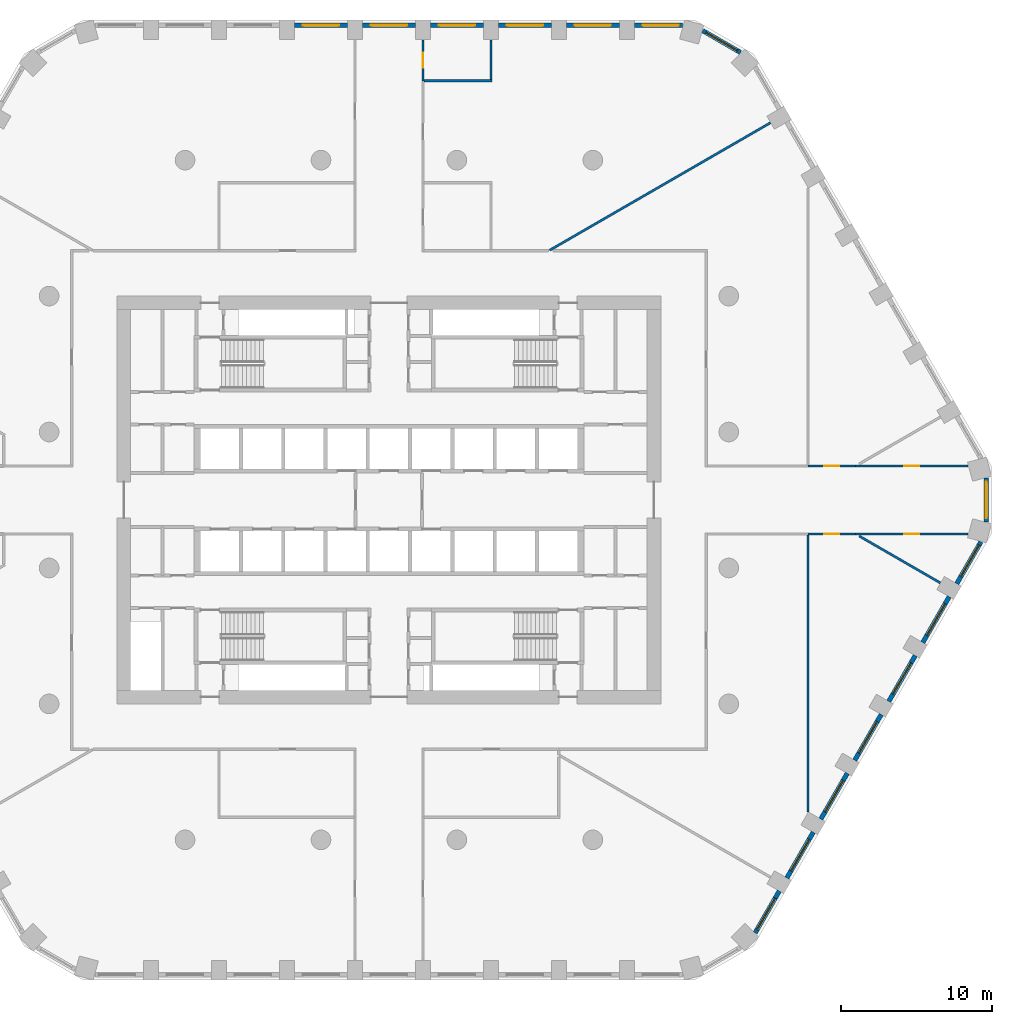
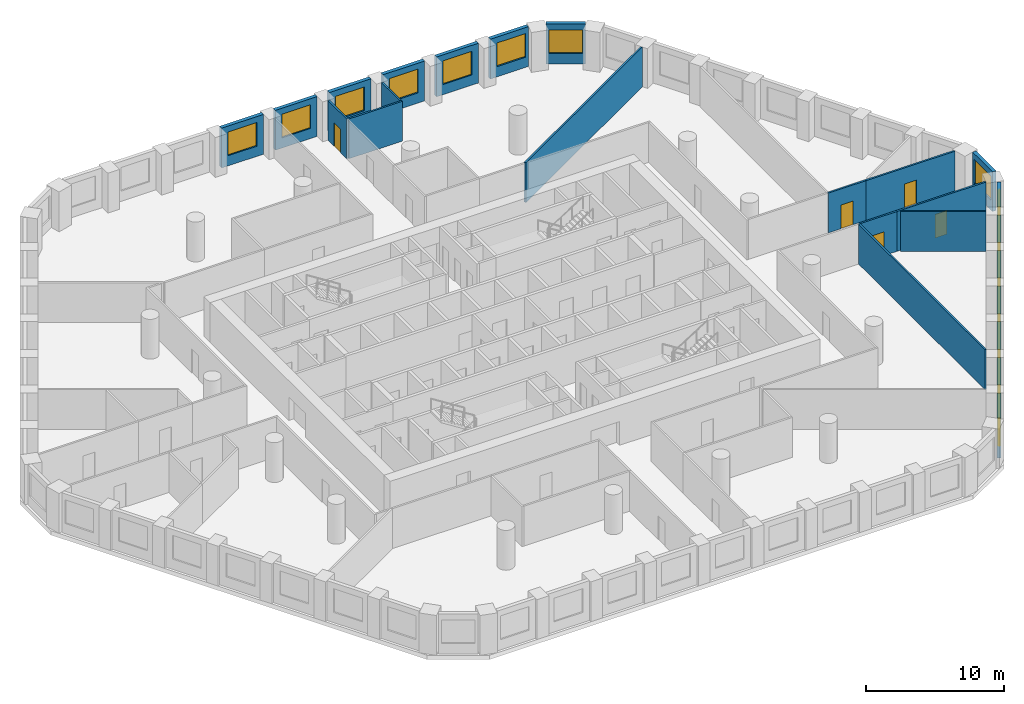
# One storey, part 8 of 10: 25 walls, 15 windows, 5 doors, 20 openings.
"""IFC4 building model written with IfcOpenShell, lengths in metres."""

import ifcopenshell
import ifcopenshell.guid

model = None  # the IFC model being written
_history = None  # IfcOwnerHistory: only IFC2X3 demands one
_inside = {}  # id of a spatial element -> (the spatial element, [elements in it])
_under = {}  # id of a project, library or spatial element -> (it, [spatial elements below it])
_declared = {}  # id of a project -> (the project, [libraries it declares])
_typed = {}  # id of a type object -> (the type object, [elements of that type])
_made_of = {}  # id of a material, layer set ... -> (it, [elements and type objects made of it])


def new_model(schema):
    """Start an empty IFC model of exactly this schema.

    Asked for "IFC4X3", IfcOpenShell would pick the latest addendum, in which some entities
    have other attributes; the version numbers below select the first issue.
    IFC2X3 requires an IfcOwnerHistory on every rooted entity: one is made here for all.
    """
    global model, _history
    if schema == "IFC4X3":
        model = ifcopenshell.file(schema_version=(4, 3, 0, 0))
    else:
        model = ifcopenshell.file(schema=schema)
    _inside.clear()
    _under.clear()
    _declared.clear()
    _typed.clear()
    _made_of.clear()
    _history = None
    if model.schema == "IFC2X3":
        org = make("IfcOrganization", Name="unknown")
        user = make(
            "IfcPersonAndOrganization",
            ThePerson=make("IfcPerson", FamilyName="unknown"),
            TheOrganization=org,
        )
        app = make(
            "IfcApplication",
            ApplicationDeveloper=org,
            Version="unknown",
            ApplicationFullName="unknown",
            ApplicationIdentifier="unknown",
        )
        _history = make(
            "IfcOwnerHistory",
            OwningUser=user,
            OwningApplication=app,
            ChangeAction="ADDED",
            CreationDate=0,
        )
    return model


def make(cls, **values):
    """One entity of the class cls with the attributes given. An attribute that is None is left unset."""
    return model.create_entity(
        cls, **{name: value for name, value in values.items() if value is not None}
    )


def rooted(cls, **values):
    """An entity with a GlobalId (a new one), such as an element, a storey or a relation."""
    return make(cls, GlobalId=ifcopenshell.guid.new(), OwnerHistory=_history, **values)


def si_unit(unit_type, name, prefix=None):
    """IfcSIUnit, for example si_unit("LENGTHUNIT", "METRE", prefix="MILLI")."""
    return make("IfcSIUnit", UnitType=unit_type, Prefix=prefix, Name=name)


def assignment(units):
    """IfcUnitAssignment: the units of a project."""
    return None if units is None else make("IfcUnitAssignment", Units=units)


def point(xyz):
    """IfcCartesianPoint."""
    return None if xyz is None else make("IfcCartesianPoint", Coordinates=xyz)


def direction(xyz):
    """IfcDirection."""
    return None if xyz is None else make("IfcDirection", DirectionRatios=xyz)


def frame(location, z_axis=None, x_axis=None):
    """IfcAxis2Placement3D, a coordinate frame: its origin and axes. An axis left out is left unset."""
    return make(
        "IfcAxis2Placement3D",
        Location=point(location),
        Axis=direction(z_axis),
        RefDirection=direction(x_axis),
    )


def frame_2d(location, x_axis=None):
    """IfcAxis2Placement2D, a coordinate frame in the plane: its origin and x axis."""
    return make(
        "IfcAxis2Placement2D", Location=point(location), RefDirection=direction(x_axis)
    )


def origin():
    """The frame at (0, 0, 0) with its axes left unset."""
    return frame((0.0, 0.0, 0.0))


def place(relative_to, where):
    """IfcLocalPlacement: puts the frame where relative to a parent placement (None: the world)."""
    return make(
        "IfcLocalPlacement", PlacementRelTo=relative_to, RelativePlacement=where
    )


def context(
    kind, dimensions, precision=None, world=None, true_north=None, identifier=None
):
    """IfcGeometricRepresentationContext, for example the 3D "Model" context."""
    return make(
        "IfcGeometricRepresentationContext",
        ContextIdentifier=identifier,
        ContextType=kind,
        CoordinateSpaceDimension=dimensions,
        Precision=precision,
        WorldCoordinateSystem=world,
        TrueNorth=true_north,
    )


def subcontext(parent, identifier, kind, view, scale=None):
    """IfcGeometricRepresentationSubContext, for example "Body" below "Model"."""
    return make(
        "IfcGeometricRepresentationSubContext",
        ContextIdentifier=identifier,
        ContextType=kind,
        ParentContext=parent,
        TargetScale=scale,
        TargetView=view,
    )


def project(units=None, contexts=None):
    """IfcProject with its units and contexts."""
    return rooted(
        "IfcProject",
        Name="project",
        RepresentationContexts=contexts,
        UnitsInContext=assignment(units),
    )


def spatial(cls, under=None, at=None, **own):
    """A site, building, storey or space (cls), placed at a placement, below another one or the project."""
    s = rooted(cls, ObjectPlacement=at, **own)
    if under is not None:
        _under.setdefault(under.id(), (under, []))[1].append(s)
    return s


def profile(cls, at=None, kind="AREA", **sizes):
    """A parametric profile (cls). Its sizes go by their IFC names, for example OverallWidth=200.0."""
    return make(cls, ProfileType=kind, Position=at, **sizes)


def rectangle(**sizes):
    """IfcRectangleProfileDef."""
    return profile("IfcRectangleProfileDef", **sizes)


def extrude(swept, where, along, depth):
    """IfcExtrudedAreaSolid: the profile swept, set in the frame where, extruded along a direction by depth."""
    return make(
        "IfcExtrudedAreaSolid",
        SweptArea=swept,
        Position=where,
        ExtrudedDirection=direction(along),
        Depth=depth,
    )


def shape(context_of_items, identifier, shape_type, items):
    """IfcShapeRepresentation: the items that make up one representation, for example the "Body"."""
    return make(
        "IfcShapeRepresentation",
        ContextOfItems=context_of_items,
        RepresentationIdentifier=identifier,
        RepresentationType=shape_type,
        Items=items,
    )


def material(Name=None, Category=None):
    """IfcMaterial."""
    return make("IfcMaterial", Name=Name, Category=Category)


def layer(
    of_material, thickness, ventilated=None, Name=None, Category=None, Priority=None
):
    """IfcMaterialLayer: one layer of a wall or slab, of a material (None: an air gap)."""
    return make(
        "IfcMaterialLayer",
        Material=of_material,
        LayerThickness=thickness,
        IsVentilated=ventilated,
        Name=Name,
        Category=Category,
        Priority=Priority,
    )


def layer_set(layers, Name=None):
    """IfcMaterialLayerSet."""
    return make("IfcMaterialLayerSet", MaterialLayers=layers, LayerSetName=Name)


def made_of(thing, what):
    """Note that an element or type object is made of a material, layer set ...; save() writes the relation."""
    if what is not None:
        _made_of.setdefault(what.id(), (what, []))[1].append(thing)
    return thing


def type_object(cls, material=None, **own):
    """A type object (cls), such as IfcWallType, which elements share."""
    return made_of(rooted(cls, **own), material)


def element(
    cls,
    number,
    at=None,
    inside=None,
    cuts=None,
    type_object=None,
    material=None,
    context=None,
    identifier="Body",
    shape_type=None,
    held_by="IfcProductDefinitionShape",
    body=None,
    shapes=None,
    **own,
):
    """One element of the class cls, such as IfcWall. Its Tag is "e" and its number.

    at: its placement. inside: the storey or other place that contains it. cuts: it is an
    opening in that element (IfcRelVoidsElement). A single representation is given by context,
    identifier, shape_type and body (its items); several are given by shapes. held_by: the class
    of the entity that holds the representations. save() writes the other relations.
    """
    e = rooted(cls, Tag="e%d" % number, ObjectPlacement=at, **own)
    if body is not None:
        shapes = [shape(context, identifier, shape_type, body)]
    if shapes is not None:
        e.Representation = make(held_by, Representations=shapes)
    if inside is not None:
        _inside.setdefault(inside.id(), (inside, []))[1].append(e)
    if cuts is not None:
        rooted(
            "IfcRelVoidsElement", RelatingBuildingElement=cuts, RelatedOpeningElement=e
        )
    if type_object is not None:
        _typed.setdefault(type_object.id(), (type_object, []))[1].append(e)
    return made_of(e, material)


def fill(opening, filler):
    """IfcRelFillsElement: the door or window that sits in an opening."""
    return rooted(
        "IfcRelFillsElement",
        RelatingOpeningElement=opening,
        RelatedBuildingElement=filler,
    )


def aggregate(whole, parts):
    """IfcRelAggregates: a whole, such as a stair, and the parts it consists of."""
    return rooted("IfcRelAggregates", RelatingObject=whole, RelatedObjects=parts)


def save(model, path):
    """Write the relations noted so far, then the file.

    IfcRelAggregates (storeys below a building ...), IfcRelContainedInSpatialStructure (elements
    in a storey), IfcRelDefinesByType, IfcRelAssociatesMaterial and IfcRelDeclares: one each for
    every whole, place, type object, material and project.
    """
    for whole, parts in _under.values():
        aggregate(whole, parts)
    for where, things in _inside.values():
        rooted(
            "IfcRelContainedInSpatialStructure",
            RelatedElements=things,
            RelatingStructure=where,
        )
    for kind, things in _typed.values():
        rooted("IfcRelDefinesByType", RelatedObjects=things, RelatingType=kind)
    for what, things in _made_of.values():
        rooted("IfcRelAssociatesMaterial", RelatedObjects=things, RelatingMaterial=what)
    for by, libraries in _declared.values():
        rooted("IfcRelDeclares", RelatingContext=by, RelatedDefinitions=libraries)
    model.write(path)


model = new_model("IFC4")

# Units and contexts
model_context = context("Model", 3, precision=1e-05, world=origin(), true_north=direction((0.0, 1.0)))
body_context = subcontext(model_context, "Body", "Model", "MODEL_VIEW")
ifc_project = project(units=[si_unit("LENGTHUNIT", "METRE"), si_unit("AREAUNIT", "SQUARE_METRE"), si_unit("VOLUMEUNIT", "CUBIC_METRE"), si_unit("PLANEANGLEUNIT", "RADIAN"), si_unit("MASSUNIT", "GRAM", prefix="KILO")], contexts=[model_context])

# Site, building, storey
site_placement = place(None, origin())
site = spatial("IfcSite", under=ifc_project, at=site_placement, CompositionType="ELEMENT")
building_placement = place(site_placement, origin())
building = spatial("IfcBuilding", under=site, at=building_placement, Name="Dhurran Vertical Campus", CompositionType="ELEMENT")
storey_placement = place(building_placement, frame((0.0, 0.0, 108.60009765625)))
storey = spatial("IfcBuildingStorey", under=building, at=storey_placement, Name="L26", CompositionType="ELEMENT", Elevation=108.60009765625)

# Wall, opening, window
ifc_material_1 = material(Name="Precast concrete C50/60", Category="concrete")
ifc_layer_1 = layer(ifc_material_1, 0.300048828125)
ifc_layer_set_1 = layer_set([ifc_layer_1], Name="Precast concrete C50/60")
wall_type_1 = type_object("IfcWallType", Name="Precast spandrel wall 300", PredefinedType="SOLIDWALL", material=ifc_layer_set_1)
wall_1_placement = place(storey_placement, frame((24.24755859375, -28.65576171875, 0.0), z_axis=(0.0, 0.0, 1.0), x_axis=(0.500004907028, 0.866022570692, 0.0)))
wall_1 = element("IfcWall", 1, at=wall_1_placement, inside=storey, type_object=wall_type_1, Name="EW1 L26.10", PredefinedType="SOLIDWALL", context=body_context, shape_type="SweptSolid", body=[
    extrude(rectangle(XDim=3.1923828125, YDim=0.300048828125, at=frame_2d((1.59619140625, 0.0))), origin(), (0.0, 0.0, 1.0), 3.52490234375),
])
opening_1_placement = place(wall_1_placement, frame((0.242919921875, 0.0, 0.89990234375)))
opening_1 = element("IfcOpeningElement", 2, at=opening_1_placement, cuts=wall_1, Name="Opening WT1", PredefinedType="OPENING", context=body_context, shape_type="SweptSolid", body=[
    extrude(rectangle(XDim=2.39990234375, YDim=2.10009765625, at=frame_2d((1.199951171875, 1.050048828125))), frame((0.0, 0.159912109375, 0.0), z_axis=(0.0, -1.0, 0.0), x_axis=(1.0, 0.0, 0.0)), (0.0, 0.0, 1.0), 0.320068359375),
])
ifc_material_2 = material(Name="Aluminium frame with solar-control glass", Category="aluminium")
window_type = type_object("IfcWindowType", Name="Punched window 2400 x 2100", PartitioningType="SINGLE_PANEL", PredefinedType="WINDOW", material=ifc_material_2)
window_1_placement = place(opening_1_placement, origin())
window_1 = element("IfcWindow", 3, at=window_1_placement, inside=storey, type_object=window_type, Name="WT1 L26.10", OverallHeight=2.10009765625, OverallWidth=2.39990234375, PartitioningType="SINGLE_PANEL", PredefinedType="WINDOW", context=body_context, shape_type="SweptSolid", body=[
    extrude(rectangle(XDim=2.39990234375, YDim=2.10009765625, at=frame_2d((1.199951171875, 1.050048828125))), frame((0.0, 0.030029296875, 0.0), z_axis=(0.0, -1.0, 0.0), x_axis=(1.0, 0.0, 0.0)), (0.0, 0.0, 1.0), 0.06005859375),
])
fill(opening_1, window_1)

wall_2_placement = place(storey_placement, frame((26.34423828125, -25.024169921875, 0.0), z_axis=(0.0, 0.0, 1.0), x_axis=(0.499996256241, 0.866027565234, 0.0)))
wall_2 = element("IfcWall", 4, at=wall_2_placement, inside=storey, type_object=wall_type_1, Name="EW1 L26.11", PredefinedType="SOLIDWALL", context=body_context, shape_type="SweptSolid", body=[
    extrude(rectangle(XDim=3.4990234375, YDim=0.300048828125, at=frame_2d((1.74951171875, 0.0))), origin(), (0.0, 0.0, 1.0), 3.52490234375),
])
opening_2_placement = place(wall_2_placement, frame((0.549560546875, 0.0, 0.89990234375)))
opening_2 = element("IfcOpeningElement", 5, at=opening_2_placement, cuts=wall_2, Name="Opening WT1", PredefinedType="OPENING", context=body_context, shape_type="SweptSolid", body=[
    extrude(rectangle(XDim=2.39990234375, YDim=2.10009765625, at=frame_2d((1.199951171875, 1.050048828125))), frame((0.0, 0.159912109375, 0.0), z_axis=(0.0, -1.0, 0.0), x_axis=(1.0, 0.0, 0.0)), (0.0, 0.0, 1.0), 0.320068359375),
])
window_2_placement = place(opening_2_placement, origin())
window_2 = element("IfcWindow", 6, at=window_2_placement, inside=storey, type_object=window_type, Name="WT1 L26.11", OverallHeight=2.10009765625, OverallWidth=2.39990234375, PartitioningType="SINGLE_PANEL", PredefinedType="WINDOW", context=body_context, shape_type="SweptSolid", body=[
    extrude(rectangle(XDim=2.39990234375, YDim=2.10009765625, at=frame_2d((1.199951171875, 1.050048828125))), frame((0.0, 0.030029296875, 0.0), z_axis=(0.0, -1.0, 0.0), x_axis=(1.0, 0.0, 0.0)), (0.0, 0.0, 1.0), 0.06005859375),
])
fill(opening_2, window_2)

wall_3_placement = place(storey_placement, frame((28.59423828125, -21.127197265625, 0.0), z_axis=(0.0, 0.0, 1.0), x_axis=(0.499996256241, 0.866027565234, 0.0)))
wall_3 = element("IfcWall", 7, at=wall_3_placement, inside=storey, type_object=wall_type_1, Name="EW1 L26.12", PredefinedType="SOLIDWALL", context=body_context, shape_type="SweptSolid", body=[
    extrude(rectangle(XDim=3.4990234375, YDim=0.300048828125, at=frame_2d((1.74951171875, 0.0))), origin(), (0.0, 0.0, 1.0), 3.52490234375),
])
opening_3_placement = place(wall_3_placement, frame((0.549560546875, 0.0, 0.89990234375)))
opening_3 = element("IfcOpeningElement", 8, at=opening_3_placement, cuts=wall_3, Name="Opening WT1", PredefinedType="OPENING", context=body_context, shape_type="SweptSolid", body=[
    extrude(rectangle(XDim=2.39990234375, YDim=2.10009765625, at=frame_2d((1.199951171875, 1.050048828125))), frame((0.0, 0.159912109375, 0.0), z_axis=(0.0, -1.0, 0.0), x_axis=(1.0, 0.0, 0.0)), (0.0, 0.0, 1.0), 0.320068359375),
])
window_3_placement = place(opening_3_placement, origin())
window_3 = element("IfcWindow", 9, at=window_3_placement, inside=storey, type_object=window_type, Name="WT1 L26.12", OverallHeight=2.10009765625, OverallWidth=2.39990234375, PartitioningType="SINGLE_PANEL", PredefinedType="WINDOW", context=body_context, shape_type="SweptSolid", body=[
    extrude(rectangle(XDim=2.39990234375, YDim=2.10009765625, at=frame_2d((1.199951171875, 1.050048828125))), frame((0.0, 0.030029296875, 0.0), z_axis=(0.0, -1.0, 0.0), x_axis=(1.0, 0.0, 0.0)), (0.0, 0.0, 1.0), 0.06005859375),
])
fill(opening_3, window_3)

wall_4_placement = place(storey_placement, frame((30.84423828125, -17.22998046875, 0.0), z_axis=(0.0, 0.0, 1.0), x_axis=(0.499996256241, 0.866027565234, 0.0)))
wall_4 = element("IfcWall", 10, at=wall_4_placement, inside=storey, type_object=wall_type_1, Name="EW1 L26.13", PredefinedType="SOLIDWALL", context=body_context, shape_type="SweptSolid", body=[
    extrude(rectangle(XDim=3.4990234375, YDim=0.300048828125, at=frame_2d((1.74951171875, 0.0))), origin(), (0.0, 0.0, 1.0), 3.52490234375),
])
opening_4_placement = place(wall_4_placement, frame((0.549560546875, 0.0, 0.89990234375)))
opening_4 = element("IfcOpeningElement", 11, at=opening_4_placement, cuts=wall_4, Name="Opening WT1", PredefinedType="OPENING", context=body_context, shape_type="SweptSolid", body=[
    extrude(rectangle(XDim=2.39990234375, YDim=2.10009765625, at=frame_2d((1.199951171875, 1.050048828125))), frame((0.0, 0.159912109375, 0.0), z_axis=(0.0, -1.0, 0.0), x_axis=(1.0, 0.0, 0.0)), (0.0, 0.0, 1.0), 0.320068359375),
])
window_4_placement = place(opening_4_placement, origin())
window_4 = element("IfcWindow", 12, at=window_4_placement, inside=storey, type_object=window_type, Name="WT1 L26.13", OverallHeight=2.10009765625, OverallWidth=2.39990234375, PartitioningType="SINGLE_PANEL", PredefinedType="WINDOW", context=body_context, shape_type="SweptSolid", body=[
    extrude(rectangle(XDim=2.39990234375, YDim=2.10009765625, at=frame_2d((1.199951171875, 1.050048828125))), frame((0.0, 0.030029296875, 0.0), z_axis=(0.0, -1.0, 0.0), x_axis=(1.0, 0.0, 0.0)), (0.0, 0.0, 1.0), 0.06005859375),
])
fill(opening_4, window_4)

wall_5_placement = place(storey_placement, frame((33.09423828125, -13.3330078125, 0.0), z_axis=(0.0, 0.0, 1.0), x_axis=(0.499996256241, 0.866027565234, 0.0)))
wall_5 = element("IfcWall", 13, at=wall_5_placement, inside=storey, type_object=wall_type_1, Name="EW1 L26.14", PredefinedType="SOLIDWALL", context=body_context, shape_type="SweptSolid", body=[
    extrude(rectangle(XDim=3.4990234375, YDim=0.300048828125, at=frame_2d((1.74951171875, 0.0))), origin(), (0.0, 0.0, 1.0), 3.52490234375),
])
opening_5_placement = place(wall_5_placement, frame((0.549560546875, 0.0, 0.89990234375)))
opening_5 = element("IfcOpeningElement", 14, at=opening_5_placement, cuts=wall_5, Name="Opening WT1", PredefinedType="OPENING", context=body_context, shape_type="SweptSolid", body=[
    extrude(rectangle(XDim=2.39990234375, YDim=2.10009765625, at=frame_2d((1.199951171875, 1.050048828125))), frame((0.0, 0.159912109375, 0.0), z_axis=(0.0, -1.0, 0.0), x_axis=(1.0, 0.0, 0.0)), (0.0, 0.0, 1.0), 0.320068359375),
])
window_5_placement = place(opening_5_placement, origin())
window_5 = element("IfcWindow", 15, at=window_5_placement, inside=storey, type_object=window_type, Name="WT1 L26.14", OverallHeight=2.10009765625, OverallWidth=2.39990234375, PartitioningType="SINGLE_PANEL", PredefinedType="WINDOW", context=body_context, shape_type="SweptSolid", body=[
    extrude(rectangle(XDim=2.39990234375, YDim=2.10009765625, at=frame_2d((1.199951171875, 1.050048828125))), frame((0.0, 0.030029296875, 0.0), z_axis=(0.0, -1.0, 0.0), x_axis=(1.0, 0.0, 0.0)), (0.0, 0.0, 1.0), 0.06005859375),
])
fill(opening_5, window_5)

wall_6_placement = place(storey_placement, frame((35.34423828125, -9.435791015625, 0.0), z_axis=(0.0, 0.0, 1.0), x_axis=(0.499996256241, 0.866027565234, 0.0)))
wall_6 = element("IfcWall", 16, at=wall_6_placement, inside=storey, type_object=wall_type_1, Name="EW1 L26.15", PredefinedType="SOLIDWALL", context=body_context, shape_type="SweptSolid", body=[
    extrude(rectangle(XDim=3.4990234375, YDim=0.300048828125, at=frame_2d((1.74951171875, 0.0))), origin(), (0.0, 0.0, 1.0), 3.52490234375),
])
opening_6_placement = place(wall_6_placement, frame((0.549560546875, 0.0, 0.89990234375)))
opening_6 = element("IfcOpeningElement", 17, at=opening_6_placement, cuts=wall_6, Name="Opening WT1", PredefinedType="OPENING", context=body_context, shape_type="SweptSolid", body=[
    extrude(rectangle(XDim=2.39990234375, YDim=2.10009765625, at=frame_2d((1.199951171875, 1.050048828125))), frame((0.0, 0.159912109375, 0.0), z_axis=(0.0, -1.0, 0.0), x_axis=(1.0, 0.0, 0.0)), (0.0, 0.0, 1.0), 0.320068359375),
])
window_6_placement = place(opening_6_placement, origin())
window_6 = element("IfcWindow", 18, at=window_6_placement, inside=storey, type_object=window_type, Name="WT1 L26.15", OverallHeight=2.10009765625, OverallWidth=2.39990234375, PartitioningType="SINGLE_PANEL", PredefinedType="WINDOW", context=body_context, shape_type="SweptSolid", body=[
    extrude(rectangle(XDim=2.39990234375, YDim=2.10009765625, at=frame_2d((1.199951171875, 1.050048828125))), frame((0.0, 0.030029296875, 0.0), z_axis=(0.0, -1.0, 0.0), x_axis=(1.0, 0.0, 0.0)), (0.0, 0.0, 1.0), 0.06005859375),
])
fill(opening_6, window_6)

wall_7_placement = place(storey_placement, frame((37.59423828125, -5.538818359375, 0.0), z_axis=(0.0, 0.0, 1.0), x_axis=(0.500004907028, 0.866022570692, 0.0)))
wall_7 = element("IfcWall", 19, at=wall_7_placement, inside=storey, type_object=wall_type_1, Name="EW1 L26.16", PredefinedType="SOLIDWALL", context=body_context, shape_type="SweptSolid", body=[
    extrude(rectangle(XDim=3.1923828125, YDim=0.300048828125, at=frame_2d((1.59619140625, 0.0))), origin(), (0.0, 0.0, 1.0), 3.52490234375),
])
opening_7_placement = place(wall_7_placement, frame((0.549560546875, 0.0, 0.89990234375)))
opening_7 = element("IfcOpeningElement", 20, at=opening_7_placement, cuts=wall_7, Name="Opening WT1", PredefinedType="OPENING", context=body_context, shape_type="SweptSolid", body=[
    extrude(rectangle(XDim=2.39990234375, YDim=2.10009765625, at=frame_2d((1.199951171875, 1.050048828125))), frame((0.0, 0.159912109375, 0.0), z_axis=(0.0, -1.0, 0.0), x_axis=(1.0, 0.0, 0.0)), (0.0, 0.0, 1.0), 0.320068359375),
])
window_7_placement = place(opening_7_placement, origin())
window_7 = element("IfcWindow", 21, at=window_7_placement, inside=storey, type_object=window_type, Name="WT1 L26.16", OverallHeight=2.10009765625, OverallWidth=2.39990234375, PartitioningType="SINGLE_PANEL", PredefinedType="WINDOW", context=body_context, shape_type="SweptSolid", body=[
    extrude(rectangle(XDim=2.39990234375, YDim=2.10009765625, at=frame_2d((1.199951171875, 1.050048828125))), frame((0.0, 0.030029296875, 0.0), z_axis=(0.0, -1.0, 0.0), x_axis=(1.0, 0.0, 0.0)), (0.0, 0.0, 1.0), 0.06005859375),
])
fill(opening_7, window_7)

wall_8_placement = place(storey_placement, frame((39.547119140625, -1.44287109375, 0.0), z_axis=(0.0, 0.0, 1.0), x_axis=(0.0, 1.0, 0.0)))
wall_8 = element("IfcWall", 22, at=wall_8_placement, inside=storey, type_object=wall_type_1, Name="EW1 L26.17", PredefinedType="SOLIDWALL", context=body_context, shape_type="SweptSolid", body=[
    extrude(rectangle(XDim=2.8857421875, YDim=0.300048828125, at=frame_2d((1.44287109375, 0.0))), origin(), (0.0, 0.0, 1.0), 3.52490234375),
])
opening_8_placement = place(wall_8_placement, frame((0.242919921875, 0.0, 0.89990234375)))
opening_8 = element("IfcOpeningElement", 23, at=opening_8_placement, cuts=wall_8, Name="Opening WT1", PredefinedType="OPENING", context=body_context, shape_type="SweptSolid", body=[
    extrude(rectangle(XDim=2.39990234375, YDim=2.10009765625, at=frame_2d((1.199951171875, 1.050048828125))), frame((0.0, 0.159912109375, 0.0), z_axis=(0.0, -1.0, 0.0), x_axis=(1.0, 0.0, 0.0)), (0.0, 0.0, 1.0), 0.320068359375),
])
window_8_placement = place(opening_8_placement, origin())
window_8 = element("IfcWindow", 24, at=window_8_placement, inside=storey, type_object=window_type, Name="WT1 L26.17", OverallHeight=2.10009765625, OverallWidth=2.39990234375, PartitioningType="SINGLE_PANEL", PredefinedType="WINDOW", context=body_context, shape_type="SweptSolid", body=[
    extrude(rectangle(XDim=2.39990234375, YDim=2.10009765625, at=frame_2d((1.199951171875, 1.050048828125))), frame((0.0, 0.030029296875, 0.0), z_axis=(0.0, -1.0, 0.0), x_axis=(1.0, 0.0, 0.0)), (0.0, 0.0, 1.0), 0.06005859375),
])
fill(opening_8, window_8)

wall_9_placement = place(storey_placement, frame((23.273193359375, 29.63037109375, 0.0), z_axis=(0.0, 0.0, 1.0), x_axis=(-0.866053149362, 0.49995194017, 0.0)))
wall_9 = element("IfcWall", 25, at=wall_9_placement, inside=storey, type_object=wall_type_1, Name="EW1 L26.25", PredefinedType="SOLIDWALL", context=body_context, shape_type="SweptSolid", body=[
    extrude(rectangle(XDim=2.885498046875, YDim=0.300048828125, at=frame_2d((1.44287109375, 0.0))), origin(), (0.0, 0.0, 1.0), 3.52490234375),
])
opening_9_placement = place(wall_9_placement, frame((0.242919921875, 0.0, 0.89990234375)))
opening_9 = element("IfcOpeningElement", 26, at=opening_9_placement, cuts=wall_9, Name="Opening WT1", PredefinedType="OPENING", context=body_context, shape_type="SweptSolid", body=[
    extrude(rectangle(XDim=2.39990234375, YDim=2.10009765625, at=frame_2d((1.199951171875, 1.050048828125))), frame((0.0, 0.159912109375, 0.0), z_axis=(0.0, -1.0, 0.0), x_axis=(1.0, 0.0, 0.0)), (0.0, 0.0, 1.0), 0.320068359375),
])
window_9_placement = place(opening_9_placement, origin())
window_9 = element("IfcWindow", 27, at=window_9_placement, inside=storey, type_object=window_type, Name="WT1 L26.25", OverallHeight=2.10009765625, OverallWidth=2.39990234375, PartitioningType="SINGLE_PANEL", PredefinedType="WINDOW", context=body_context, shape_type="SweptSolid", body=[
    extrude(rectangle(XDim=2.39990234375, YDim=2.10009765625, at=frame_2d((1.199951171875, 1.050048828125))), frame((0.0, 0.030029296875, 0.0), z_axis=(0.0, -1.0, 0.0), x_axis=(1.0, 0.0, 0.0)), (0.0, 0.0, 1.0), 0.06005859375),
])
fill(opening_9, window_9)

wall_10_placement = place(storey_placement, frame((19.44287109375, 31.4296875, 0.0), z_axis=(0.0, 0.0, 1.0), x_axis=(-1.0, 0.0, 0.0)))
wall_10 = element("IfcWall", 28, at=wall_10_placement, inside=storey, type_object=wall_type_1, Name="EW1 L26.26", PredefinedType="SOLIDWALL", context=body_context, shape_type="SweptSolid", body=[
    extrude(rectangle(XDim=3.1923828125, YDim=0.300048828125, at=frame_2d((1.59619140625, 0.0))), origin(), (0.0, 0.0, 1.0), 3.52490234375),
])
opening_10_placement = place(wall_10_placement, frame((0.242919921875, 0.0, 0.89990234375)))
opening_10 = element("IfcOpeningElement", 29, at=opening_10_placement, cuts=wall_10, Name="Opening WT1", PredefinedType="OPENING", context=body_context, shape_type="SweptSolid", body=[
    extrude(rectangle(XDim=2.39990234375, YDim=2.10009765625, at=frame_2d((1.199951171875, 1.050048828125))), frame((0.0, 0.159912109375, 0.0), z_axis=(0.0, -1.0, 0.0), x_axis=(1.0, 0.0, 0.0)), (0.0, 0.0, 1.0), 0.320068359375),
])
window_10_placement = place(opening_10_placement, origin())
window_10 = element("IfcWindow", 30, at=window_10_placement, inside=storey, type_object=window_type, Name="WT1 L26.26", OverallHeight=2.10009765625, OverallWidth=2.39990234375, PartitioningType="SINGLE_PANEL", PredefinedType="WINDOW", context=body_context, shape_type="SweptSolid", body=[
    extrude(rectangle(XDim=2.39990234375, YDim=2.10009765625, at=frame_2d((1.199951171875, 1.050048828125))), frame((0.0, 0.030029296875, 0.0), z_axis=(0.0, -1.0, 0.0), x_axis=(1.0, 0.0, 0.0)), (0.0, 0.0, 1.0), 0.06005859375),
])
fill(opening_10, window_10)

wall_11_placement = place(storey_placement, frame((15.24951171875, 31.4296875, 0.0), z_axis=(0.0, 0.0, 1.0), x_axis=(-1.0, 0.0, 0.0)))
wall_11 = element("IfcWall", 31, at=wall_11_placement, inside=storey, type_object=wall_type_1, Name="EW1 L26.27", PredefinedType="SOLIDWALL", context=body_context, shape_type="SweptSolid", body=[
    extrude(rectangle(XDim=3.4990234375, YDim=0.300048828125, at=frame_2d((1.74951171875, 0.0))), origin(), (0.0, 0.0, 1.0), 3.52490234375),
])
opening_11_placement = place(wall_11_placement, frame((0.549560546875, 0.0, 0.89990234375)))
opening_11 = element("IfcOpeningElement", 32, at=opening_11_placement, cuts=wall_11, Name="Opening WT1", PredefinedType="OPENING", context=body_context, shape_type="SweptSolid", body=[
    extrude(rectangle(XDim=2.39990234375, YDim=2.10009765625, at=frame_2d((1.199951171875, 1.050048828125))), frame((0.0, 0.159912109375, 0.0), z_axis=(0.0, -1.0, 0.0), x_axis=(1.0, 0.0, 0.0)), (0.0, 0.0, 1.0), 0.320068359375),
])
window_11_placement = place(opening_11_placement, origin())
window_11 = element("IfcWindow", 33, at=window_11_placement, inside=storey, type_object=window_type, Name="WT1 L26.27", OverallHeight=2.10009765625, OverallWidth=2.39990234375, PartitioningType="SINGLE_PANEL", PredefinedType="WINDOW", context=body_context, shape_type="SweptSolid", body=[
    extrude(rectangle(XDim=2.39990234375, YDim=2.10009765625, at=frame_2d((1.199951171875, 1.050048828125))), frame((0.0, 0.030029296875, 0.0), z_axis=(0.0, -1.0, 0.0), x_axis=(1.0, 0.0, 0.0)), (0.0, 0.0, 1.0), 0.06005859375),
])
fill(opening_11, window_11)

wall_12_placement = place(storey_placement, frame((10.74951171875, 31.4296875, 0.0), z_axis=(0.0, 0.0, 1.0), x_axis=(-1.0, 0.0, 0.0)))
wall_12 = element("IfcWall", 34, at=wall_12_placement, inside=storey, type_object=wall_type_1, Name="EW1 L26.28", PredefinedType="SOLIDWALL", context=body_context, shape_type="SweptSolid", body=[
    extrude(rectangle(XDim=3.4990234375, YDim=0.300048828125, at=frame_2d((1.74951171875, 0.0))), origin(), (0.0, 0.0, 1.0), 3.52490234375),
])
opening_12_placement = place(wall_12_placement, frame((0.549560546875, 0.0, 0.89990234375)))
opening_12 = element("IfcOpeningElement", 35, at=opening_12_placement, cuts=wall_12, Name="Opening WT1", PredefinedType="OPENING", context=body_context, shape_type="SweptSolid", body=[
    extrude(rectangle(XDim=2.39990234375, YDim=2.10009765625, at=frame_2d((1.199951171875, 1.050048828125))), frame((0.0, 0.159912109375, 0.0), z_axis=(0.0, -1.0, 0.0), x_axis=(1.0, 0.0, 0.0)), (0.0, 0.0, 1.0), 0.320068359375),
])
window_12_placement = place(opening_12_placement, origin())
window_12 = element("IfcWindow", 36, at=window_12_placement, inside=storey, type_object=window_type, Name="WT1 L26.28", OverallHeight=2.10009765625, OverallWidth=2.39990234375, PartitioningType="SINGLE_PANEL", PredefinedType="WINDOW", context=body_context, shape_type="SweptSolid", body=[
    extrude(rectangle(XDim=2.39990234375, YDim=2.10009765625, at=frame_2d((1.199951171875, 1.050048828125))), frame((0.0, 0.030029296875, 0.0), z_axis=(0.0, -1.0, 0.0), x_axis=(1.0, 0.0, 0.0)), (0.0, 0.0, 1.0), 0.06005859375),
])
fill(opening_12, window_12)

wall_13_placement = place(storey_placement, frame((6.24951171875, 31.4296875, 0.0), z_axis=(0.0, 0.0, 1.0), x_axis=(-1.0, 0.0, 0.0)))
wall_13 = element("IfcWall", 37, at=wall_13_placement, inside=storey, type_object=wall_type_1, Name="EW1 L26.29", PredefinedType="SOLIDWALL", context=body_context, shape_type="SweptSolid", body=[
    extrude(rectangle(XDim=3.4990234375, YDim=0.300048828125, at=frame_2d((1.74951171875, 0.0))), origin(), (0.0, 0.0, 1.0), 3.52490234375),
])
opening_13_placement = place(wall_13_placement, frame((0.549560546875, 0.0, 0.89990234375)))
opening_13 = element("IfcOpeningElement", 38, at=opening_13_placement, cuts=wall_13, Name="Opening WT1", PredefinedType="OPENING", context=body_context, shape_type="SweptSolid", body=[
    extrude(rectangle(XDim=2.39990234375, YDim=2.10009765625, at=frame_2d((1.199951171875, 1.050048828125))), frame((0.0, 0.159912109375, 0.0), z_axis=(0.0, -1.0, 0.0), x_axis=(1.0, 0.0, 0.0)), (0.0, 0.0, 1.0), 0.320068359375),
])
window_13_placement = place(opening_13_placement, origin())
window_13 = element("IfcWindow", 39, at=window_13_placement, inside=storey, type_object=window_type, Name="WT1 L26.29", OverallHeight=2.10009765625, OverallWidth=2.39990234375, PartitioningType="SINGLE_PANEL", PredefinedType="WINDOW", context=body_context, shape_type="SweptSolid", body=[
    extrude(rectangle(XDim=2.39990234375, YDim=2.10009765625, at=frame_2d((1.199951171875, 1.050048828125))), frame((0.0, 0.030029296875, 0.0), z_axis=(0.0, -1.0, 0.0), x_axis=(1.0, 0.0, 0.0)), (0.0, 0.0, 1.0), 0.06005859375),
])
fill(opening_13, window_13)

wall_14_placement = place(storey_placement, frame((1.74951171875, 31.4296875, 0.0), z_axis=(0.0, 0.0, 1.0), x_axis=(-1.0, 0.0, 0.0)))
wall_14 = element("IfcWall", 40, at=wall_14_placement, inside=storey, type_object=wall_type_1, Name="EW1 L26.30", PredefinedType="SOLIDWALL", context=body_context, shape_type="SweptSolid", body=[
    extrude(rectangle(XDim=3.4990234375, YDim=0.300048828125, at=frame_2d((1.74951171875, 0.0))), origin(), (0.0, 0.0, 1.0), 3.52490234375),
])
opening_14_placement = place(wall_14_placement, frame((0.549560546875, 0.0, 0.89990234375)))
opening_14 = element("IfcOpeningElement", 41, at=opening_14_placement, cuts=wall_14, Name="Opening WT1", PredefinedType="OPENING", context=body_context, shape_type="SweptSolid", body=[
    extrude(rectangle(XDim=2.39990234375, YDim=2.10009765625, at=frame_2d((1.199951171875, 1.050048828125))), frame((0.0, 0.159912109375, 0.0), z_axis=(0.0, -1.0, 0.0), x_axis=(1.0, 0.0, 0.0)), (0.0, 0.0, 1.0), 0.320068359375),
])
window_14_placement = place(opening_14_placement, origin())
window_14 = element("IfcWindow", 42, at=window_14_placement, inside=storey, type_object=window_type, Name="WT1 L26.30", OverallHeight=2.10009765625, OverallWidth=2.39990234375, PartitioningType="SINGLE_PANEL", PredefinedType="WINDOW", context=body_context, shape_type="SweptSolid", body=[
    extrude(rectangle(XDim=2.39990234375, YDim=2.10009765625, at=frame_2d((1.199951171875, 1.050048828125))), frame((0.0, 0.030029296875, 0.0), z_axis=(0.0, -1.0, 0.0), x_axis=(1.0, 0.0, 0.0)), (0.0, 0.0, 1.0), 0.06005859375),
])
fill(opening_14, window_14)

wall_15_placement = place(storey_placement, frame((-2.75048828125, 31.4296875, 0.0), z_axis=(0.0, 0.0, 1.0), x_axis=(-1.0, 0.0, 0.0)))
wall_15 = element("IfcWall", 43, at=wall_15_placement, inside=storey, type_object=wall_type_1, Name="EW1 L26.31", PredefinedType="SOLIDWALL", context=body_context, shape_type="SweptSolid", body=[
    extrude(rectangle(XDim=3.4990234375, YDim=0.300048828125, at=frame_2d((1.74951171875, 0.0))), origin(), (0.0, 0.0, 1.0), 3.52490234375),
])
opening_15_placement = place(wall_15_placement, frame((0.549560546875, 0.0, 0.89990234375)))
opening_15 = element("IfcOpeningElement", 44, at=opening_15_placement, cuts=wall_15, Name="Opening WT1", PredefinedType="OPENING", context=body_context, shape_type="SweptSolid", body=[
    extrude(rectangle(XDim=2.39990234375, YDim=2.10009765625, at=frame_2d((1.199951171875, 1.050048828125))), frame((0.0, 0.159912109375, 0.0), z_axis=(0.0, -1.0, 0.0), x_axis=(1.0, 0.0, 0.0)), (0.0, 0.0, 1.0), 0.320068359375),
])
window_15_placement = place(opening_15_placement, origin())
window_15 = element("IfcWindow", 45, at=window_15_placement, inside=storey, type_object=window_type, Name="WT1 L26.31", OverallHeight=2.10009765625, OverallWidth=2.39990234375, PartitioningType="SINGLE_PANEL", PredefinedType="WINDOW", context=body_context, shape_type="SweptSolid", body=[
    extrude(rectangle(XDim=2.39990234375, YDim=2.10009765625, at=frame_2d((1.199951171875, 1.050048828125))), frame((0.0, 0.030029296875, 0.0), z_axis=(0.0, -1.0, 0.0), x_axis=(1.0, 0.0, 0.0)), (0.0, 0.0, 1.0), 0.06005859375),
])
fill(opening_15, window_15)

# Wall, opening, door
ifc_material_3 = material(Name="Gypsum board corridor wall on steel studs", Category="steel")
ifc_layer_2 = layer(ifc_material_3, 0.14990234375)
ifc_layer_set_2 = layer_set([ifc_layer_2], Name="Gypsum board corridor wall on steel studs")
wall_type_2 = type_object("IfcWallType", Name="fl-CW-150 corridor wall", PredefinedType="PARTITIONING", material=ifc_layer_set_2)
wall_16_placement = place(storey_placement, frame((2.25, 30.459716796875, 0.0), z_axis=(0.0, 0.0, 1.0), x_axis=(0.0, -1.0, 0.0)))
wall_16 = element("IfcWall", 46, at=wall_16_placement, inside=storey, type_object=wall_type_2, Name="Partition 26-41", PredefinedType="PARTITIONING", context=body_context, shape_type="SweptSolid", body=[
    extrude(rectangle(XDim=2.709716796875, YDim=0.14990234375, at=frame_2d((1.35498046875, 0.0))), origin(), (0.0, 0.0, 1.0), 3.52490234375),
])
opening_16_placement = place(wall_16_placement, frame((0.85498046875, 0.0, 0.0)))
opening_16 = element("IfcOpeningElement", 47, at=opening_16_placement, cuts=wall_16, Name="Opening T07.12", PredefinedType="OPENING", context=body_context, shape_type="SweptSolid", body=[
    extrude(rectangle(XDim=1.0, YDim=2.10009765625, at=frame_2d((0.5, 1.050048828125))), frame((0.0, 0.0849609375, 0.0), z_axis=(0.0, -1.0, 0.0), x_axis=(1.0, 0.0, 0.0)), (0.0, 0.0, 1.0), 0.169921875),
])
ifc_material_4 = material(Name="Solid-core timber door set, fire-rated", Category="wood")
door_type = type_object("IfcDoorType", Name="fl-D-1000x2100", OperationType="SINGLE_SWING_LEFT", PredefinedType="DOOR", material=ifc_material_4)
door_1_placement = place(opening_16_placement, origin())
door_1 = element("IfcDoor", 48, at=door_1_placement, inside=storey, type_object=door_type, Name="Door 26.12", OperationType="SINGLE_SWING_LEFT", OverallHeight=2.10009765625, OverallWidth=1.0, PredefinedType="DOOR", context=body_context, shape_type="SweptSolid", body=[
    extrude(rectangle(XDim=1.0, YDim=2.10009765625, at=frame_2d((0.5, 1.050048828125))), frame((0.0, 0.02490234375, 0.0), z_axis=(0.0, -1.0, 0.0), x_axis=(1.0, 0.0, 0.0)), (0.0, 0.0, 1.0), 0.050048828125),
])
fill(opening_16, door_1)

wall_17_placement = place(storey_placement, frame((30.89697265625, -2.25, 0.0), z_axis=(0.0, 0.0, 1.0), x_axis=(-1.0, 0.0, 0.0)))
wall_17 = element("IfcWall", 49, at=wall_17_placement, inside=storey, type_object=wall_type_2, Name="Partition 26-57", PredefinedType="PARTITIONING", context=body_context, shape_type="SweptSolid", body=[
    extrude(rectangle(XDim=3.14697265625, YDim=0.14990234375, at=frame_2d((1.573486328125, 0.0))), origin(), (0.0, 0.0, 1.0), 3.52490234375),
])
opening_17_placement = place(wall_17_placement, frame((1.073486328125, 0.0, 0.0)))
opening_17 = element("IfcOpeningElement", 50, at=opening_17_placement, cuts=wall_17, Name="Opening T07.18", PredefinedType="OPENING", context=body_context, shape_type="SweptSolid", body=[
    extrude(rectangle(XDim=1.0, YDim=2.10009765625, at=frame_2d((0.5, 1.050048828125))), frame((0.0, 0.0849609375, 0.0), z_axis=(0.0, -1.0, 0.0), x_axis=(1.0, 0.0, 0.0)), (0.0, 0.0, 1.0), 0.169921875),
])
door_2_placement = place(opening_17_placement, origin())
door_2 = element("IfcDoor", 51, at=door_2_placement, inside=storey, type_object=door_type, Name="Door 26.18", OperationType="SINGLE_SWING_RIGHT", OverallHeight=2.10009765625, OverallWidth=1.0, PredefinedType="DOOR", context=body_context, shape_type="SweptSolid", body=[
    extrude(rectangle(XDim=1.0, YDim=2.10009765625, at=frame_2d((0.5, 1.050048828125))), frame((0.0, 0.02490234375, 0.0), z_axis=(0.0, -1.0, 0.0), x_axis=(1.0, 0.0, 0.0)), (0.0, 0.0, 1.0), 0.050048828125),
])
fill(opening_17, door_2)

wall_18_placement = place(storey_placement, frame((27.75, 2.25, 0.0), z_axis=(0.0, 0.0, 1.0), x_axis=(1.0, 0.0, 0.0)))
wall_18 = element("IfcWall", 52, at=wall_18_placement, inside=storey, type_object=wall_type_2, Name="Partition 26-59", PredefinedType="PARTITIONING", context=body_context, shape_type="SweptSolid", body=[
    extrude(rectangle(XDim=3.14697265625, YDim=0.14990234375, at=frame_2d((1.573486328125, 0.0))), origin(), (0.0, 0.0, 1.0), 3.52490234375),
])
opening_18_placement = place(wall_18_placement, frame((1.073486328125, 0.0, 0.0)))
opening_18 = element("IfcOpeningElement", 53, at=opening_18_placement, cuts=wall_18, Name="Opening T07.19", PredefinedType="OPENING", context=body_context, shape_type="SweptSolid", body=[
    extrude(rectangle(XDim=1.0, YDim=2.10009765625, at=frame_2d((0.5, 1.050048828125))), frame((0.0, 0.0849609375, 0.0), z_axis=(0.0, -1.0, 0.0), x_axis=(1.0, 0.0, 0.0)), (0.0, 0.0, 1.0), 0.169921875),
])
door_3_placement = place(opening_18_placement, origin())
door_3 = element("IfcDoor", 54, at=door_3_placement, inside=storey, type_object=door_type, Name="Door 26.19", OperationType="SINGLE_SWING_LEFT", OverallHeight=2.10009765625, OverallWidth=1.0, PredefinedType="DOOR", context=body_context, shape_type="SweptSolid", body=[
    extrude(rectangle(XDim=1.0, YDim=2.10009765625, at=frame_2d((0.5, 1.050048828125))), frame((0.0, 0.02490234375, 0.0), z_axis=(0.0, -1.0, 0.0), x_axis=(1.0, 0.0, 0.0)), (0.0, 0.0, 1.0), 0.050048828125),
])
fill(opening_18, door_3)

wall_19_placement = place(storey_placement, frame((38.35009765625, -2.25, 0.0), z_axis=(0.0, 0.0, 1.0), x_axis=(-1.0, 0.0, 0.0)))
wall_19 = element("IfcWall", 55, at=wall_19_placement, inside=storey, type_object=wall_type_2, Name="Partition 26-61", PredefinedType="PARTITIONING", context=body_context, shape_type="SweptSolid", body=[
    extrude(rectangle(XDim=7.453125, YDim=0.14990234375, at=frame_2d((3.7265625, 0.0))), origin(), (0.0, 0.0, 1.0), 3.52490234375),
])
opening_19_placement = place(wall_19_placement, frame((3.2265625, 0.0, 0.0)))
opening_19 = element("IfcOpeningElement", 56, at=opening_19_placement, cuts=wall_19, Name="Opening T07.20", PredefinedType="OPENING", context=body_context, shape_type="SweptSolid", body=[
    extrude(rectangle(XDim=1.0, YDim=2.10009765625, at=frame_2d((0.5, 1.050048828125))), frame((0.0, 0.0849609375, 0.0), z_axis=(0.0, -1.0, 0.0), x_axis=(1.0, 0.0, 0.0)), (0.0, 0.0, 1.0), 0.169921875),
])
door_4_placement = place(opening_19_placement, origin())
door_4 = element("IfcDoor", 57, at=door_4_placement, inside=storey, type_object=door_type, Name="Door 26.20", OperationType="SINGLE_SWING_RIGHT", OverallHeight=2.10009765625, OverallWidth=1.0, PredefinedType="DOOR", context=body_context, shape_type="SweptSolid", body=[
    extrude(rectangle(XDim=1.0, YDim=2.10009765625, at=frame_2d((0.5, 1.050048828125))), frame((0.0, 0.02490234375, 0.0), z_axis=(0.0, -1.0, 0.0), x_axis=(1.0, 0.0, 0.0)), (0.0, 0.0, 1.0), 0.050048828125),
])
fill(opening_19, door_4)

wall_20_placement = place(storey_placement, frame((30.89697265625, 2.25, 0.0), z_axis=(0.0, 0.0, 1.0), x_axis=(1.0, 0.0, 0.0)))
wall_20 = element("IfcWall", 58, at=wall_20_placement, inside=storey, type_object=wall_type_2, Name="Partition 26-63", PredefinedType="PARTITIONING", context=body_context, shape_type="SweptSolid", body=[
    extrude(rectangle(XDim=7.453125, YDim=0.14990234375, at=frame_2d((3.7265625, 0.0))), origin(), (0.0, 0.0, 1.0), 3.52490234375),
])
opening_20_placement = place(wall_20_placement, frame((3.2265625, 0.0, 0.0)))
opening_20 = element("IfcOpeningElement", 59, at=opening_20_placement, cuts=wall_20, Name="Opening T07.21", PredefinedType="OPENING", context=body_context, shape_type="SweptSolid", body=[
    extrude(rectangle(XDim=1.0, YDim=2.10009765625, at=frame_2d((0.5, 1.050048828125))), frame((0.0, 0.0849609375, 0.0), z_axis=(0.0, -1.0, 0.0), x_axis=(1.0, 0.0, 0.0)), (0.0, 0.0, 1.0), 0.169921875),
])
door_5_placement = place(opening_20_placement, origin())
door_5 = element("IfcDoor", 60, at=door_5_placement, inside=storey, type_object=door_type, Name="Door 26.21", OperationType="SINGLE_SWING_RIGHT", OverallHeight=2.10009765625, OverallWidth=1.0, PredefinedType="DOOR", context=body_context, shape_type="SweptSolid", body=[
    extrude(rectangle(XDim=1.0, YDim=2.10009765625, at=frame_2d((0.5, 1.050048828125))), frame((0.0, 0.02490234375, 0.0), z_axis=(0.0, -1.0, 0.0), x_axis=(1.0, 0.0, 0.0)), (0.0, 0.0, 1.0), 0.050048828125),
])
fill(opening_20, door_5)

# Walls
ifc_material_5 = material(Name="Gypsum board partition on steel studs", Category="steel")
ifc_layer_3 = layer(ifc_material_5, 0.14990234375)
ifc_layer_set_3 = layer_set([ifc_layer_3], Name="Gypsum board partition on steel studs")
wall_type_3 = type_object("IfcWallType", Name="fl-PW-150 fixed partition", PredefinedType="PARTITIONING", material=ifc_layer_set_3)
wall_21_placement = place(storey_placement, frame((6.824951171875, 27.75, 0.0), z_axis=(0.0, 0.0, 1.0), x_axis=(-1.0, 0.0, 0.0)))
element("IfcWall", 61, at=wall_21_placement, inside=storey, type_object=wall_type_3, Name="Partition 26-42", PredefinedType="PARTITIONING", context=body_context, shape_type="SweptSolid", body=[
    extrude(rectangle(XDim=4.5, YDim=0.14990234375, at=frame_2d((2.25, 0.0))), origin(), (0.0, 0.0, 1.0), 3.52490234375),
])
wall_22_placement = place(storey_placement, frame((6.75, 30.459716796875, 0.0), z_axis=(0.0, 0.0, 1.0), x_axis=(0.0, -1.0, 0.0)))
element("IfcWall", 62, at=wall_22_placement, inside=storey, type_object=wall_type_3, Name="Partition 26-45", PredefinedType="PARTITIONING", context=body_context, shape_type="SweptSolid", body=[
    extrude(rectangle(XDim=2.634765625, YDim=0.14990234375, at=frame_2d((1.3173828125, 0.0))), origin(), (0.0, 0.0, 1.0), 3.52490234375),
])
wall_23_placement = place(storey_placement, frame((25.25390625, 24.972900390625, 0.0), z_axis=(0.0, 0.0, 1.0), x_axis=(-0.866017851419, -0.500013080853, 0.0)))
element("IfcWall", 63, at=wall_23_placement, inside=storey, type_object=wall_type_3, Name="Partition 26-47", PredefinedType="PARTITIONING", context=body_context, shape_type="SweptSolid", body=[
    extrude(rectangle(XDim=16.8701171875, YDim=0.14990234375, at=frame_2d((8.43505859375, 0.0))), origin(), (0.0, 0.0, 1.0), 3.52490234375),
])
wall_24_placement = place(storey_placement, frame((27.75, -2.324951171875, 0.0), z_axis=(0.0, 0.0, 1.0), x_axis=(0.0, -1.0, 0.0)))
element("IfcWall", 64, at=wall_24_placement, inside=storey, type_object=wall_type_3, Name="Partition 26-56", PredefinedType="PARTITIONING", context=body_context, shape_type="SweptSolid", body=[
    extrude(rectangle(XDim=18.324462890625, YDim=0.14990234375, at=frame_2d((9.162109375, 0.0))), origin(), (0.0, 0.0, 1.0), 3.52490234375),
])
wall_25_placement = place(storey_placement, frame((31.13525390625, -2.387451171875, 0.0), z_axis=(0.0, 0.0, 1.0), x_axis=(0.866007197923, -0.500031532152, 0.0)))
element("IfcWall", 65, at=wall_25_placement, inside=storey, type_object=wall_type_3, Name="Partition 26-60", PredefinedType="PARTITIONING", context=body_context, shape_type="SweptSolid", body=[
    extrude(rectangle(XDim=6.19921875, YDim=0.14990234375, at=frame_2d((3.099609375, 0.0))), origin(), (0.0, 0.0, 1.0), 3.52490234375),
])

save(model, "model.ifc")
